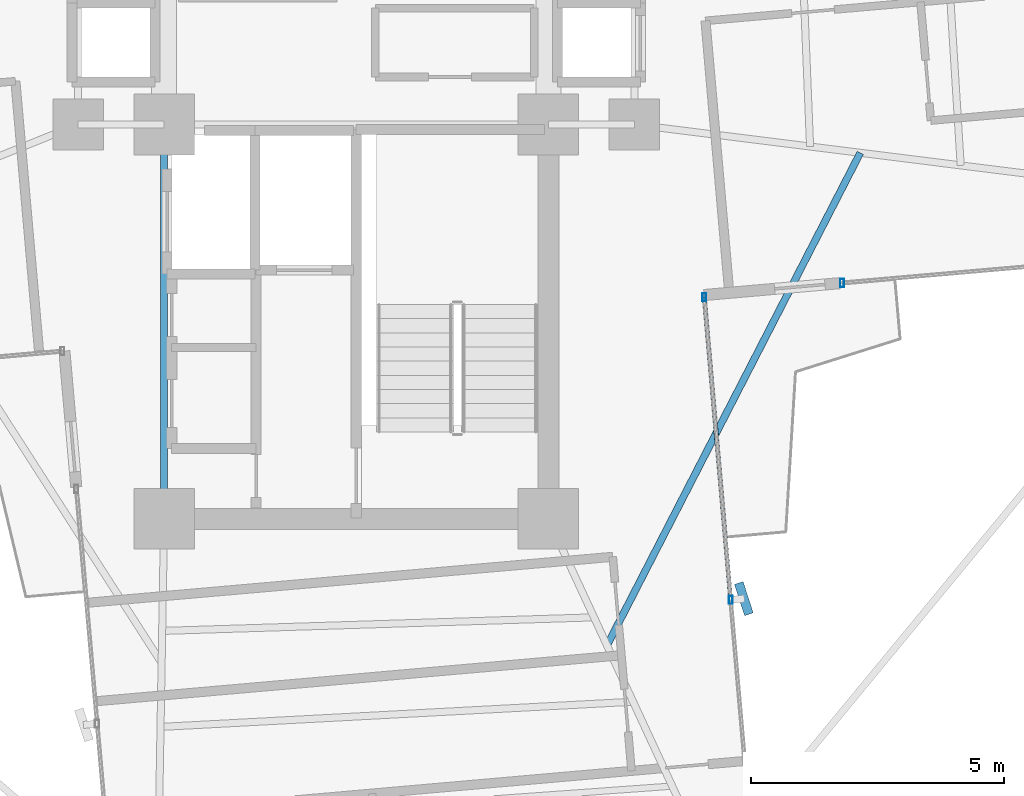
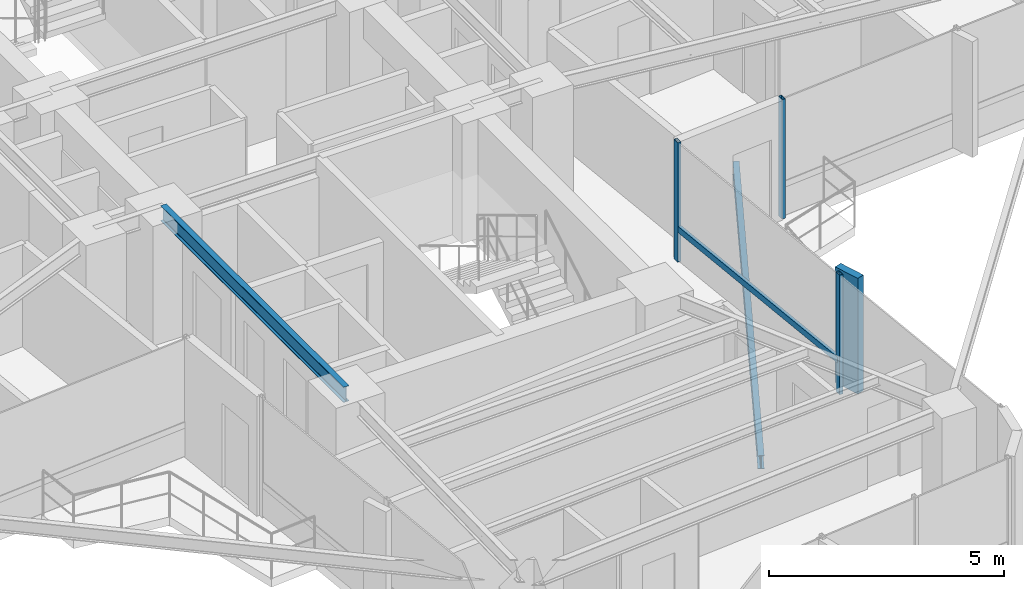
# One storey, part 7 of 24: 5 members, 2 beams, 2 elements without a shape of their own.
"""IFC4 building model written with IfcOpenShell, lengths in metres."""

from ifc_helpers import new_model, si_unit, direction, frame, origin, origin_2d, place, context, subcontext, project, spatial, rectangle, hollow_rectangle, i_section, extrude, source, transform, mapped, material, material_profile, profile_set, type_object, element, aggregate, save


model = new_model("IFC4")

# Units and contexts
model_context = context("Model", 3, precision=1e-05, world=origin(), true_north=direction((0.0, 1.0)))
body_context = subcontext(model_context, "Body", "Model", "MODEL_VIEW")
ifc_project = project(units=[si_unit("LENGTHUNIT", "METRE"), si_unit("AREAUNIT", "SQUARE_METRE"), si_unit("VOLUMEUNIT", "CUBIC_METRE"), si_unit("PLANEANGLEUNIT", "RADIAN"), si_unit("MASSUNIT", "GRAM", prefix="KILO")], contexts=[model_context])

# Site, building, storey
site_placement = place(None, origin())
site = spatial("IfcSite", under=ifc_project, at=site_placement, CompositionType="ELEMENT")
building_placement = place(site_placement, origin())
building = spatial("IfcBuilding", under=site, at=building_placement, Name="Sahyath Konkavel Grand Hotel", CompositionType="ELEMENT")
storey_placement = place(building_placement, frame((0.0, 0.0, 191.949951171875)))
storey = spatial("IfcBuildingStorey", under=building, at=storey_placement, Name="L53", CompositionType="ELEMENT", Elevation=191.949951171875)

# Beam
ifc_material_1 = material(Name="Steel E350", Category="steel")
ifc_material_profile_1 = material_profile(ifc_material_1, i_section(OverallWidth=0.139892578125, OverallDepth=0.39990234375, WebThickness=0.0087890625, FlangeThickness=0.01611328125, FilletRadius=0.013916015625, at=origin_2d()), Name="ISMB 400")
ifc_profile_set_1 = profile_set([ifc_material_profile_1], Name="Steel E350")
beam_type_1 = type_object("IfcBeamType", Name="BM-ISMB400", PredefinedType="BEAM", material=ifc_profile_set_1)
shared_shape_1 = source(origin(), body_context, "Body", "SweptSolid", [
    extrude(i_section(OverallWidth=0.139892578125, OverallDepth=0.39990234375, WebThickness=0.0087890625, FlangeThickness=0.01611328125, FilletRadius=0.013916015625, at=origin_2d()), origin(), (0.0, 0.0, 1.0), 7.800048828125),
])
beam_1_placement = place(storey_placement, frame((-3.800048828125, -10.199951171875, 2.91015625), z_axis=(0.0, 1.0, 0.0), x_axis=(-1.0, 0.0, 0.0)))
element("IfcBeam", 1, at=beam_1_placement, inside=storey, type_object=beam_type_1, Name="str:bm:L53:SC-W", PredefinedType="BEAM", context=body_context, shape_type="MappedRepresentation", body=[
    mapped(shared_shape_1, transform((0.0, 0.0, 0.0), scale=1.0)),
])

# Curtain wall, member
ifc_material_2 = material(Name="Anodised Bronze Aluminium & Low-E Glazing", Category="aluminium")
curtain_wall_type = type_object("IfcCurtainWallType", Name="CW-ZONE3", PredefinedType="NOTDEFINED", material=ifc_material_2)
curtain_wall_1_placement = place(storey_placement, origin())
curtain_wall_1 = element("IfcCurtainWall", 2, at=curtain_wall_1_placement, inside=storey, type_object=curtain_wall_type, Name="L53 Unitised Curtain Wall F31", PredefinedType="NOTDEFINED")
ifc_material_3 = material(Name="Warm Buff Sandstone Cladding on Concrete C50/60", Category="masonry")
ifc_material_profile_2 = material_profile(ifc_material_3, rectangle(XDim=0.179931640625, YDim=0.64990234375, at=origin_2d()), Name="FIN 180x650")
ifc_profile_set_2 = profile_set([ifc_material_profile_2], Name="Warm Buff Sandstone Cladding on Concrete C50/60")
member_type_1 = type_object("IfcMemberType", Name="FIN-SANDSTONE-650", PredefinedType="MULLION", material=ifc_profile_set_2)
shared_shape_2 = source(origin(), body_context, "Body", "SweptSolid", [
    extrude(rectangle(XDim=0.179931640625, YDim=0.64990234375, at=origin_2d()), origin(), (0.0, 0.0, 1.0), 3.010009765625),
])
member_1_placement = place(storey_placement, frame((7.66552734375, -11.776611328125, 0.050048828125), z_axis=(0.0, 0.0, 1.0), x_axis=(0.951110435449, 0.308850998993, 0.0)))
member_1 = element("IfcMember", 3, at=member_1_placement, type_object=member_type_1, Name="L53 Sandstone Vertical Solar Fin FIN F31-1", PredefinedType="MULLION", context=body_context, shape_type="MappedRepresentation", body=[
    mapped(shared_shape_2, transform((0.0, 0.0, 0.0), scale=1.0)),
])

curtain_wall_2_placement = place(storey_placement, origin())
curtain_wall_2 = element("IfcCurtainWall", 4, at=curtain_wall_2_placement, inside=storey, type_object=curtain_wall_type, Name="L53 Unitised Curtain Wall F0", PredefinedType="NOTDEFINED")
ifc_material_4 = material(Name="Anodised Bronze Aluminium", Category="aluminium")
ifc_material_profile_3 = material_profile(ifc_material_4, hollow_rectangle(XDim=0.080078125, YDim=0.159912109375, WallThickness=0.006103515625, at=origin_2d()), Name="RHS 160x80x6")
ifc_profile_set_3 = profile_set([ifc_material_profile_3], Name="Anodised Bronze Aluminium")
member_type_2 = type_object("IfcMemberType", Name="CW-MUL-160", PredefinedType="MULLION", material=ifc_profile_set_3)
shared_shape_3 = source(origin(), body_context, "Body", "SweptSolid", [
    extrude(hollow_rectangle(XDim=0.080078125, YDim=0.159912109375, WallThickness=0.006103515625, at=origin_2d()), origin(), (0.0, 0.0, 1.0), 3.110107421875),
])
member_2_placement = place(storey_placement, frame((9.60888671875, -5.53369140625, 0.0), z_axis=(0.0, 0.0, 1.0), x_axis=(1.0, 0.0, 0.0)))
member_2 = element("IfcMember", 5, at=member_2_placement, type_object=member_type_2, Name="L53 Curtain Wall Mullion F0-0", PredefinedType="MULLION", context=body_context, shape_type="MappedRepresentation", body=[
    mapped(shared_shape_3, transform((0.0, 0.0, 0.0), scale=1.0)),
])
aggregate(curtain_wall_2, [member_2])

# Member
member_3_placement = place(storey_placement, frame((7.406494140625, -11.79931640625, 0.0), z_axis=(0.0, 0.0, 1.0), x_axis=(1.0, 0.0, 0.0)))
member_3 = element("IfcMember", 6, at=member_3_placement, type_object=member_type_2, Name="L53 Curtain Wall Mullion F31-1", PredefinedType="MULLION", context=body_context, shape_type="MappedRepresentation", body=[
    mapped(shared_shape_3, transform((0.0, 0.0, 0.0), scale=1.0)),
])

member_4_placement = place(storey_placement, frame((6.8828125, -5.812255859375, 0.0), z_axis=(0.0, 0.0, 1.0), x_axis=(1.0, 0.0, 0.0)))
member_4 = element("IfcMember", 7, at=member_4_placement, type_object=member_type_2, Name="L53 Curtain Wall Mullion F31-2", PredefinedType="MULLION", context=body_context, shape_type="MappedRepresentation", body=[
    mapped(shared_shape_3, transform((0.0, 0.0, 0.0), scale=1.0)),
])

ifc_material_profile_4 = material_profile(ifc_material_4, hollow_rectangle(XDim=0.080078125, YDim=0.159912109375, WallThickness=0.006103515625, at=origin_2d()), Name="RHS 160x80x6")
ifc_profile_set_4 = profile_set([ifc_material_profile_4], Name="Anodised Bronze Aluminium")
member_type_3 = type_object("IfcMemberType", Name="CW-TRN-160", PredefinedType="USERDEFINED", material=ifc_profile_set_4)
shared_shape_4 = source(origin(), body_context, "Body", "SweptSolid", [
    extrude(hollow_rectangle(XDim=0.080078125, YDim=0.159912109375, WallThickness=0.006103515625, at=origin_2d()), origin(), (0.0, 0.0, 1.0), 6.010009765625),
])
member_5_placement = place(storey_placement, frame((7.406494140625, -11.79931640625, 0.85009765625), z_axis=(-0.087136210597, 0.996196406741, 0.0), x_axis=(-0.996196406741, -0.087136210597, 0.0)))
member_5 = element("IfcMember", 8, at=member_5_placement, type_object=member_type_3, Name="L53 Curtain Wall Transom F31-1-spandrel", ObjectType="TRANSOM", PredefinedType="USERDEFINED", context=body_context, shape_type="MappedRepresentation", body=[
    mapped(shared_shape_4, transform((0.0, 0.0, 0.0), scale=1.0)),
])

aggregate(curtain_wall_1, [member_3, member_1, member_4, member_5])

# Beam
ifc_material_profile_5 = material_profile(ifc_material_1, i_section(OverallWidth=0.139892578125, OverallDepth=0.35009765625, WebThickness=0.008056640625, FlangeThickness=0.01416015625, FilletRadius=0.013916015625, at=origin_2d()), Name="ISMB 350")
ifc_profile_set_5 = profile_set([ifc_material_profile_5], Name="Steel E350")
beam_type_2 = type_object("IfcBeamType", Name="BM-BALC-CANT", PredefinedType="BEAM", material=ifc_profile_set_5)
shared_shape_5 = source(origin(), body_context, "Body", "SweptSolid", [
    extrude(i_section(OverallWidth=0.139892578125, OverallDepth=0.35009765625, WebThickness=0.008056640625, FlangeThickness=0.01416015625, FilletRadius=0.013916015625, at=origin_2d()), origin(), (0.0, 0.0, 1.0), 10.95556640625),
])
beam_2_placement = place(storey_placement, frame((4.959716796875, -12.703125, -0.4150390625), z_axis=(0.457186878355, 0.889370652912, 0.0), x_axis=(-0.889370652912, 0.457186878355, 0.0)))
element("IfcBeam", 9, at=beam_2_placement, inside=storey, type_object=beam_type_2, Name="L53 Balcony Cantilever Support Beam SE", PredefinedType="BEAM", context=body_context, shape_type="MappedRepresentation", body=[
    mapped(shared_shape_5, transform((0.0, 0.0, 0.0), scale=1.0)),
])

save(model, "model.ifc")
